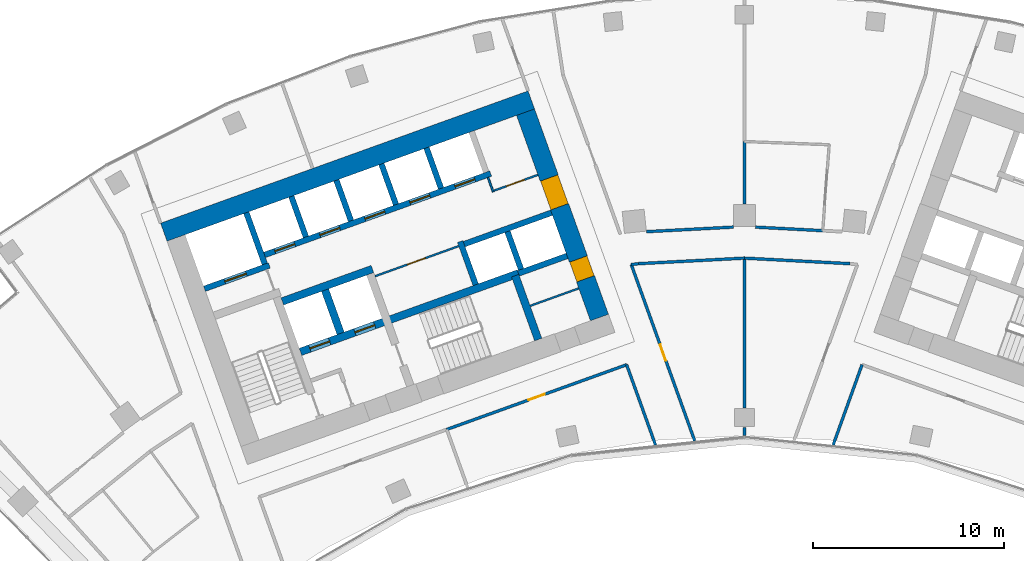
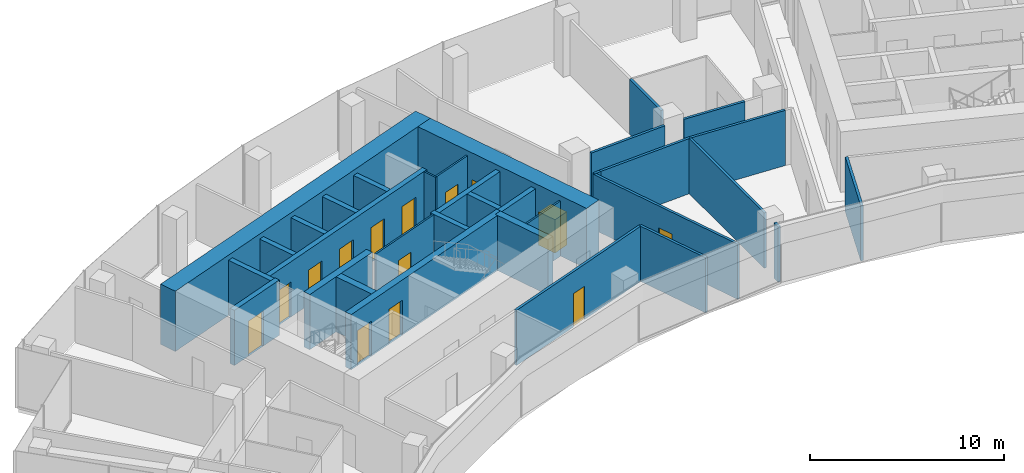
# One storey, part 13 of 18: 33 walls, 14 doors, 14 openings.
"""IFC4 building model written with IfcOpenShell, lengths in metres."""

from ifc_helpers import new_model, si_unit, direction, frame, frame_2d, origin, place, context, subcontext, project, spatial, rectangle, extrude, material, layer, layer_set, type_object, element, fill, save


model = new_model("IFC4")

# Units and contexts
model_context = context("Model", 3, precision=1e-05, world=origin(), true_north=direction((0.0, 1.0)))
body_context = subcontext(model_context, "Body", "Model", "MODEL_VIEW")
ifc_project = project(units=[si_unit("LENGTHUNIT", "METRE"), si_unit("AREAUNIT", "SQUARE_METRE"), si_unit("VOLUMEUNIT", "CUBIC_METRE"), si_unit("PLANEANGLEUNIT", "RADIAN"), si_unit("MASSUNIT", "GRAM", prefix="KILO")], contexts=[model_context])

# Site, building, storey
site_placement = place(None, origin())
site = spatial("IfcSite", under=ifc_project, at=site_placement, CompositionType="ELEMENT")
building_placement = place(site_placement, origin())
building = spatial("IfcBuilding", under=site, at=building_placement, Name="Stone Belt Terrace Tower", CompositionType="ELEMENT")
storey_placement = place(building_placement, frame((0.0, 0.0, 220.0)))
storey = spatial("IfcBuildingStorey", under=building, at=storey_placement, Name="L53", CompositionType="ELEMENT", Elevation=220.0)

# Wall, opening, door
ifc_material_1 = material(Name="Plasterboard partition")
ifc_layer_1 = layer(ifc_material_1, 0.10009765625)
ifc_layer_set_1 = layer_set([ifc_layer_1], Name="Core partition 100")
wall_type_1 = type_object("IfcWallType", Name="Core partition 100", PredefinedType="PARTITIONING", material=ifc_layer_set_1)
wall_1_placement = place(storey_placement, frame((-19.29052734375, 51.829833984375, 0.0), z_axis=(0.0, 0.0, 1.0), x_axis=(0.940930240745, 0.338600475563, 0.0)))
wall_1 = element("IfcWall", 1, at=wall_1_placement, inside=storey, type_object=wall_type_1, Name="Core A wall", PredefinedType="PARTITIONING", context=body_context, shape_type="SweptSolid", body=[
    extrude(rectangle(XDim=4.64990234375, YDim=0.10009765625, at=frame_2d((2.324951171875, 0.0))), origin(), (0.0, 0.0, 1.0), 3.47998046875),
])
opening_1_placement = place(wall_1_placement, frame((1.800048828125, 0.0, 0.0)))
opening_1 = element("IfcOpeningElement", 2, at=opening_1_placement, cuts=wall_1, Name="Opening L53-C02", PredefinedType="OPENING", context=body_context, shape_type="SweptSolid", body=[
    extrude(rectangle(XDim=1.0, YDim=2.10009765625, at=frame_2d((0.5, 1.050048828125))), frame((0.0, 0.06005859375, 0.0), z_axis=(0.0, -1.0, 0.0), x_axis=(1.0, 0.0, 0.0)), (0.0, 0.0, 1.0), 0.1201171875),
])
ifc_material_2 = material(Name="Timber door leaf", Category="wood")
door_type_1 = type_object("IfcDoorType", Name="Core room door 1000", OperationType="SINGLE_SWING_LEFT", PredefinedType="DOOR", material=ifc_material_2)
door_1_placement = place(opening_1_placement, origin())
door_1 = element("IfcDoor", 3, at=door_1_placement, inside=storey, type_object=door_type_1, Name="Door to Communications hub room core A", OperationType="SINGLE_SWING_LEFT", OverallHeight=2.10009765625, OverallWidth=1.0, PredefinedType="DOOR", context=body_context, shape_type="SweptSolid", body=[
    extrude(rectangle(XDim=1.0, YDim=2.10009765625, at=frame_2d((0.5, 1.050048828125))), frame((0.0, 0.02490234375, 0.0), z_axis=(0.0, -1.0, 0.0), x_axis=(1.0, 0.0, 0.0)), (0.0, 0.0, 1.0), 0.050048828125),
])
fill(opening_1, door_1)

# Walls
wall_2_placement = place(storey_placement, frame((-11.187744140625, 50.2822265625, 0.0), z_axis=(0.0, 0.0, 1.0), x_axis=(0.940949642365, 0.338546555931, 0.0)))
element("IfcWall", 4, at=wall_2_placement, inside=storey, type_object=wall_type_1, Name="Core A wall", PredefinedType="PARTITIONING", context=body_context, shape_type="SweptSolid", body=[
    extrude(rectangle(XDim=2.699951171875, YDim=0.10009765625, at=frame_2d((1.35009765625, 0.0))), origin(), (0.0, 0.0, 1.0), 3.47998046875),
])
wall_3_placement = place(storey_placement, frame((-13.115966796875, 56.230712890625, 0.0), z_axis=(0.0, 0.0, 1.0), x_axis=(-0.338481684961, 0.940972979923, 0.0)))
element("IfcWall", 5, at=wall_3_placement, inside=storey, type_object=wall_type_1, Name="Core A wall", PredefinedType="PARTITIONING", context=body_context, shape_type="SweptSolid", body=[
    extrude(rectangle(XDim=0.7998046875, YDim=0.10009765625, at=frame_2d((0.39990234375, 0.0))), origin(), (0.0, 0.0, 1.0), 3.47998046875),
])

# Wall, opening, door
wall_4_placement = place(storey_placement, frame((-13.085693359375, 56.294677734375, 0.0), z_axis=(0.0, 0.0, 1.0), x_axis=(0.940922976849, 0.338620660383, 0.0)))
wall_4 = element("IfcWall", 6, at=wall_4_placement, inside=storey, type_object=wall_type_1, Name="Core A wall", PredefinedType="PARTITIONING", context=body_context, shape_type="SweptSolid", body=[
    extrude(rectangle(XDim=2.449951171875, YDim=0.10009765625, at=frame_2d((1.22509765625, 0.0))), origin(), (0.0, 0.0, 1.0), 3.47998046875),
])
opening_2_placement = place(wall_4_placement, frame((0.699951171875, 0.0, 0.0)))
opening_2 = element("IfcOpeningElement", 7, at=opening_2_placement, cuts=wall_4, Name="Opening L53-C01", PredefinedType="OPENING", context=body_context, shape_type="SweptSolid", body=[
    extrude(rectangle(XDim=1.0, YDim=2.10009765625, at=frame_2d((0.5, 1.050048828125))), frame((0.0, 0.06005859375, 0.0), z_axis=(0.0, -1.0, 0.0), x_axis=(1.0, 0.0, 0.0)), (0.0, 0.0, 1.0), 0.1201171875),
])
door_2_placement = place(opening_2_placement, origin())
door_2 = element("IfcDoor", 8, at=door_2_placement, inside=storey, type_object=door_type_1, Name="Door to Tenant storage room core A", OperationType="SINGLE_SWING_LEFT", OverallHeight=2.10009765625, OverallWidth=1.0, PredefinedType="DOOR", context=body_context, shape_type="SweptSolid", body=[
    extrude(rectangle(XDim=1.0, YDim=2.10009765625, at=frame_2d((0.5, 1.050048828125))), frame((0.0, 0.02490234375, 0.0), z_axis=(0.0, -1.0, 0.0), x_axis=(1.0, 0.0, 0.0)), (0.0, 0.0, 1.0), 0.050048828125),
])
fill(opening_2, door_2)

# Wall
ifc_material_3 = material(Name="Concrete B60", Category="concrete")
ifc_layer_2 = layer(ifc_material_3, 1.0)
ifc_layer_set_2 = layer_set([ifc_layer_2], Name="Core wall 1000 B60")
wall_type_2 = type_object("IfcWallType", Name="Core wall 1000 B60", PredefinedType="SHEAR", material=ifc_layer_set_2)
wall_5_placement = place(storey_placement, frame((-30.3212890625, 54.13037109375, 0.0), z_axis=(0.0, 0.0, 1.0), x_axis=(0.940921428504, 0.338624962727, 0.0)))
element("IfcWall", 9, at=wall_5_placement, inside=storey, type_object=wall_type_2, Name="Core A wall convex L53", PredefinedType="SHEAR", context=body_context, shape_type="SweptSolid", body=[
    extrude(rectangle(XDim=20.400146484375, YDim=1.0, at=frame_2d((10.2001953125, 0.0))), origin(), (0.0, 0.0, 1.0), 3.800048828125),
])

# Wall, openings, doors
wall_6_placement = place(storey_placement, frame((-7.567138671875, 49.672119140625, 0.0), z_axis=(0.0, 0.0, 1.0), x_axis=(-0.338625431531, 0.940921259788, 0.0)))
wall_6 = element("IfcWall", 10, at=wall_6_placement, inside=storey, type_object=wall_type_2, Name="Core A wall end_b L53", PredefinedType="SHEAR", context=body_context, shape_type="SweptSolid", body=[
    extrude(rectangle(XDim=11.400146484375, YDim=1.0, at=frame_2d((5.7001953125, 0.0))), origin(), (0.0, 0.0, 1.0), 3.800048828125),
])
opening_3_placement = place(wall_6_placement, frame((6.14990234375, 0.0, 0.0)))
opening_3 = element("IfcOpeningElement", 11, at=opening_3_placement, cuts=wall_6, Name="Opening L53-C04", PredefinedType="OPENING", context=body_context, shape_type="SweptSolid", body=[
    extrude(rectangle(XDim=1.60009765625, YDim=2.10009765625, at=frame_2d((0.800048828125, 1.050048828125))), frame((0.0, 0.510009765625, 0.0), z_axis=(0.0, -1.0, 0.0), x_axis=(1.0, 0.0, 0.0)), (0.0, 0.0, 1.0), 1.02001953125),
])
opening_4_placement = place(wall_6_placement, frame((2.14990234375, 0.0, 0.0)))
opening_4 = element("IfcOpeningElement", 12, at=opening_4_placement, cuts=wall_6, Name="Opening L53-C10", PredefinedType="OPENING", context=body_context, shape_type="SweptSolid", body=[
    extrude(rectangle(XDim=1.10009765625, YDim=2.10009765625, at=frame_2d((0.550048828125, 1.050048828125))), frame((0.0, 0.510009765625, 0.0), z_axis=(0.0, -1.0, 0.0), x_axis=(1.0, 0.0, 0.0)), (0.0, 0.0, 1.0), 1.02001953125),
])
door_type_2 = type_object("IfcDoorType", Name="Core room door 1100", OperationType="SINGLE_SWING_LEFT", PredefinedType="DOOR", material=ifc_material_2)
door_3_placement = place(opening_4_placement, origin())
door_3 = element("IfcDoor", 13, at=door_3_placement, inside=storey, type_object=door_type_2, Name="Door to Accessible WC core A", OperationType="SINGLE_SWING_RIGHT", OverallHeight=2.10009765625, OverallWidth=1.10009765625, PredefinedType="DOOR", context=body_context, shape_type="SweptSolid", body=[
    extrude(rectangle(XDim=1.10009765625, YDim=2.10009765625, at=frame_2d((0.550048828125, 1.050048828125))), frame((0.0, 0.47998046875, 0.0), z_axis=(0.0, -1.0, 0.0), x_axis=(1.0, 0.0, 0.0)), (0.0, 0.0, 1.0), 0.9599609375),
])
fill(opening_4, door_3)
ifc_material_4 = material(Name="Glazed aluminium door leaf", Category="aluminium")
door_type_3 = type_object("IfcDoorType", Name="Lift lobby entrance door 1600", OperationType="DOUBLE_DOOR_SINGLE_SWING", PredefinedType="DOOR", material=ifc_material_4)
door_4_placement = place(opening_3_placement, origin())
door_4 = element("IfcDoor", 14, at=door_4_placement, inside=storey, type_object=door_type_3, Name="Lift lobby entrance door core A", OperationType="DOUBLE_DOOR_SINGLE_SWING", OverallHeight=2.10009765625, OverallWidth=1.60009765625, PredefinedType="DOOR", context=body_context, shape_type="SweptSolid", body=[
    extrude(rectangle(XDim=1.60009765625, YDim=2.10009765625, at=frame_2d((0.800048828125, 1.050048828125))), frame((0.0, 0.47998046875, 0.0), z_axis=(0.0, -1.0, 0.0), x_axis=(1.0, 0.0, 0.0)), (0.0, 0.0, 1.0), 0.9599609375),
])
fill(opening_3, door_4)

# Walls
ifc_material_5 = material(Name="Concrete B80", Category="concrete")
ifc_layer_3 = layer(ifc_material_5, 0.39990234375)
ifc_layer_set_3 = layer_set([ifc_layer_3], Name="Fire-fighting lift shaft wall 400")
wall_type_3 = type_object("IfcWallType", Name="Fire-fighting lift shaft wall 400", PredefinedType="SHEAR", material=ifc_layer_set_3)
wall_7_placement = place(storey_placement, frame((-24.130615234375, 50.512939453125, 0.0), z_axis=(0.0, 0.0, 1.0), x_axis=(0.94091168377, 0.338652038744, 0.0)))
element("IfcWall", 15, at=wall_7_placement, inside=storey, type_object=wall_type_3, Name="Core A wall", PredefinedType="SHEAR", context=body_context, shape_type="SweptSolid", body=[
    extrude(rectangle(XDim=5.000244140625, YDim=0.39990234375, at=frame_2d((2.5, 0.0))), origin(), (0.0, 0.0, 1.0), 3.47998046875),
])
wall_8_placement = place(storey_placement, frame((-21.0859375, 48.845458984375, 0.0), z_axis=(0.0, 0.0, 1.0), x_axis=(-0.338629416206, 0.940919825745, 0.0)))
element("IfcWall", 16, at=wall_8_placement, inside=storey, type_object=wall_type_3, Name="Core A wall", PredefinedType="SHEAR", context=body_context, shape_type="SweptSolid", body=[
    extrude(rectangle(XDim=2.400146484375, YDim=0.39990234375, at=frame_2d((1.2001953125, 0.0))), origin(), (0.0, 0.0, 1.0), 3.47998046875),
])

# Wall, opening, door
ifc_layer_4 = layer(ifc_material_5, 0.300048828125)
ifc_layer_set_4 = layer_set([ifc_layer_4], Name="Lift shaft wall 300")
wall_type_4 = type_object("IfcWallType", Name="Lift shaft wall 300", PredefinedType="SHEAR", material=ifc_layer_set_4)
wall_9_placement = place(storey_placement, frame((-28.195068359375, 51.17578125, 0.0), z_axis=(0.0, 0.0, 1.0), x_axis=(0.940901243567, 0.338681044427, 0.0)))
wall_9 = element("IfcWall", 17, at=wall_9_placement, inside=storey, type_object=wall_type_4, Name="Core A wall", PredefinedType="SHEAR", context=body_context, shape_type="SweptSolid", body=[
    extrude(rectangle(XDim=3.599853515625, YDim=0.300048828125, at=frame_2d((1.7998046875, 0.0))), origin(), (0.0, 0.0, 1.0), 3.47998046875),
])
opening_5_placement = place(wall_9_placement, frame((1.1201171875, 0.0, 0.0)))
opening_5 = element("IfcOpeningElement", 18, at=opening_5_placement, cuts=wall_9, Name="Opening L53-LD08", PredefinedType="OPENING", context=body_context, shape_type="SweptSolid", body=[
    extrude(rectangle(XDim=1.199951171875, YDim=2.199951171875, at=frame_2d((0.60009765625, 1.10009765625))), frame((0.0, 0.159912109375, 0.0), z_axis=(0.0, -1.0, 0.0), x_axis=(1.0, 0.0, 0.0)), (0.0, 0.0, 1.0), 0.320068359375),
])
ifc_material_6 = material(Name="Stainless steel door leaf", Category="steel")
door_type_4 = type_object("IfcDoorType", Name="Landing door 1200", OperationType="SLIDING_TO_LEFT", PredefinedType="DOOR", material=ifc_material_6)
door_5_placement = place(opening_5_placement, origin())
door_5 = element("IfcDoor", 19, at=door_5_placement, inside=storey, type_object=door_type_4, Name="Landing door SV1 core A", OperationType="SLIDING_TO_LEFT", OverallHeight=2.199951171875, OverallWidth=1.199951171875, PredefinedType="DOOR", context=body_context, shape_type="SweptSolid", body=[
    extrude(rectangle(XDim=1.199951171875, YDim=2.199951171875, at=frame_2d((0.60009765625, 1.10009765625))), frame((0.0, 0.02490234375, 0.0), z_axis=(0.0, -1.0, 0.0), x_axis=(1.0, 0.0, 0.0)), (0.0, 0.0, 1.0), 0.050048828125),
])
fill(opening_5, door_5)

# Wall
wall_10_placement = place(storey_placement, frame((-25.046875, 52.46826171875, 0.0), z_axis=(0.0, 0.0, 1.0), x_axis=(-0.338549588058, 0.940948551423, 0.0)))
element("IfcWall", 20, at=wall_10_placement, inside=storey, type_object=wall_type_4, Name="Core A wall", PredefinedType="SHEAR", context=body_context, shape_type="SweptSolid", body=[
    extrude(rectangle(XDim=2.849853515625, YDim=0.300048828125, at=frame_2d((1.4248046875, 0.0))), origin(), (0.0, 0.0, 1.0), 3.47998046875),
])

# Wall, openings, doors
wall_11_placement = place(storey_placement, frame((-25.05810546875, 52.9423828125, 0.0), z_axis=(0.0, 0.0, 1.0), x_axis=(0.940921381676, 0.338625092847, 0.0)))
wall_11 = element("IfcWall", 21, at=wall_11_placement, inside=storey, type_object=wall_type_4, Name="Core A wall", PredefinedType="SHEAR", context=body_context, shape_type="SweptSolid", body=[
    extrude(rectangle(XDim=12.550048828125, YDim=0.300048828125, at=frame_2d((6.27490234375, 0.0))), origin(), (0.0, 0.0, 1.0), 3.47998046875),
])
opening_6_placement = place(wall_11_placement, frame((0.570068359375, 0.0, 0.0)))
opening_6 = element("IfcOpeningElement", 22, at=opening_6_placement, cuts=wall_11, Name="Opening L53-LD01", PredefinedType="OPENING", context=body_context, shape_type="SweptSolid", body=[
    extrude(rectangle(XDim=1.10009765625, YDim=2.199951171875, at=frame_2d((0.550048828125, 1.10009765625))), frame((0.0, 0.159912109375, 0.0), z_axis=(0.0, -1.0, 0.0), x_axis=(1.0, 0.0, 0.0)), (0.0, 0.0, 1.0), 0.320068359375),
])
opening_7_placement = place(wall_11_placement, frame((3.070068359375, 0.0, 0.0)))
opening_7 = element("IfcOpeningElement", 23, at=opening_7_placement, cuts=wall_11, Name="Opening L53-LD02", PredefinedType="OPENING", context=body_context, shape_type="SweptSolid", body=[
    extrude(rectangle(XDim=1.10009765625, YDim=2.199951171875, at=frame_2d((0.550048828125, 1.10009765625))), frame((0.0, 0.159912109375, 0.0), z_axis=(0.0, -1.0, 0.0), x_axis=(1.0, 0.0, 0.0)), (0.0, 0.0, 1.0), 0.320068359375),
])
opening_8_placement = place(wall_11_placement, frame((5.570068359375, 0.0, 0.0)))
opening_8 = element("IfcOpeningElement", 24, at=opening_8_placement, cuts=wall_11, Name="Opening L53-LD03", PredefinedType="OPENING", context=body_context, shape_type="SweptSolid", body=[
    extrude(rectangle(XDim=1.10009765625, YDim=2.199951171875, at=frame_2d((0.550048828125, 1.10009765625))), frame((0.0, 0.159912109375, 0.0), z_axis=(0.0, -1.0, 0.0), x_axis=(1.0, 0.0, 0.0)), (0.0, 0.0, 1.0), 0.320068359375),
])
opening_9_placement = place(wall_11_placement, frame((8.070068359375, 0.0, 0.0)))
opening_9 = element("IfcOpeningElement", 25, at=opening_9_placement, cuts=wall_11, Name="Opening L53-LD04", PredefinedType="OPENING", context=body_context, shape_type="SweptSolid", body=[
    extrude(rectangle(XDim=1.10009765625, YDim=2.199951171875, at=frame_2d((0.550048828125, 1.10009765625))), frame((0.0, 0.159912109375, 0.0), z_axis=(0.0, -1.0, 0.0), x_axis=(1.0, 0.0, 0.0)), (0.0, 0.0, 1.0), 0.320068359375),
])
opening_10_placement = place(wall_11_placement, frame((10.570068359375, 0.0, 0.0)))
opening_10 = element("IfcOpeningElement", 26, at=opening_10_placement, cuts=wall_11, Name="Opening L53-LD05", PredefinedType="OPENING", context=body_context, shape_type="SweptSolid", body=[
    extrude(rectangle(XDim=1.10009765625, YDim=2.199951171875, at=frame_2d((0.550048828125, 1.10009765625))), frame((0.0, 0.159912109375, 0.0), z_axis=(0.0, -1.0, 0.0), x_axis=(1.0, 0.0, 0.0)), (0.0, 0.0, 1.0), 0.320068359375),
])
door_type_5 = type_object("IfcDoorType", Name="Landing door 1100", OperationType="SLIDING_TO_LEFT", PredefinedType="DOOR", material=ifc_material_6)
door_6_placement = place(opening_6_placement, origin())
door_6 = element("IfcDoor", 27, at=door_6_placement, inside=storey, type_object=door_type_5, Name="Landing door MR1 core A", OperationType="SLIDING_TO_LEFT", OverallHeight=2.199951171875, OverallWidth=1.10009765625, PredefinedType="DOOR", context=body_context, shape_type="SweptSolid", body=[
    extrude(rectangle(XDim=1.10009765625, YDim=2.199951171875, at=frame_2d((0.550048828125, 1.10009765625))), frame((0.0, 0.02490234375, 0.0), z_axis=(0.0, -1.0, 0.0), x_axis=(1.0, 0.0, 0.0)), (0.0, 0.0, 1.0), 0.050048828125),
])
fill(opening_6, door_6)
door_7_placement = place(opening_7_placement, origin())
door_7 = element("IfcDoor", 28, at=door_7_placement, inside=storey, type_object=door_type_5, Name="Landing door MR2 core A", OperationType="SLIDING_TO_LEFT", OverallHeight=2.199951171875, OverallWidth=1.10009765625, PredefinedType="DOOR", context=body_context, shape_type="SweptSolid", body=[
    extrude(rectangle(XDim=1.10009765625, YDim=2.199951171875, at=frame_2d((0.550048828125, 1.10009765625))), frame((0.0, 0.02490234375, 0.0), z_axis=(0.0, -1.0, 0.0), x_axis=(1.0, 0.0, 0.0)), (0.0, 0.0, 1.0), 0.050048828125),
])
fill(opening_7, door_7)
door_8_placement = place(opening_8_placement, origin())
door_8 = element("IfcDoor", 29, at=door_8_placement, inside=storey, type_object=door_type_5, Name="Landing door MR3 core A", OperationType="SLIDING_TO_LEFT", OverallHeight=2.199951171875, OverallWidth=1.10009765625, PredefinedType="DOOR", context=body_context, shape_type="SweptSolid", body=[
    extrude(rectangle(XDim=1.10009765625, YDim=2.199951171875, at=frame_2d((0.550048828125, 1.10009765625))), frame((0.0, 0.02490234375, 0.0), z_axis=(0.0, -1.0, 0.0), x_axis=(1.0, 0.0, 0.0)), (0.0, 0.0, 1.0), 0.050048828125),
])
fill(opening_8, door_8)
door_9_placement = place(opening_9_placement, origin())
door_9 = element("IfcDoor", 30, at=door_9_placement, inside=storey, type_object=door_type_5, Name="Landing door MR4 core A", OperationType="SLIDING_TO_LEFT", OverallHeight=2.199951171875, OverallWidth=1.10009765625, PredefinedType="DOOR", context=body_context, shape_type="SweptSolid", body=[
    extrude(rectangle(XDim=1.10009765625, YDim=2.199951171875, at=frame_2d((0.550048828125, 1.10009765625))), frame((0.0, 0.02490234375, 0.0), z_axis=(0.0, -1.0, 0.0), x_axis=(1.0, 0.0, 0.0)), (0.0, 0.0, 1.0), 0.050048828125),
])
fill(opening_9, door_9)
door_10_placement = place(opening_10_placement, origin())
door_10 = element("IfcDoor", 31, at=door_10_placement, inside=storey, type_object=door_type_5, Name="Landing door MR5 core A", OperationType="SLIDING_TO_LEFT", OverallHeight=2.199951171875, OverallWidth=1.10009765625, PredefinedType="DOOR", context=body_context, shape_type="SweptSolid", body=[
    extrude(rectangle(XDim=1.10009765625, YDim=2.199951171875, at=frame_2d((0.550048828125, 1.10009765625))), frame((0.0, 0.02490234375, 0.0), z_axis=(0.0, -1.0, 0.0), x_axis=(1.0, 0.0, 0.0)), (0.0, 0.0, 1.0), 0.050048828125),
])
fill(opening_10, door_10)

# Walls
wall_12_placement = place(storey_placement, frame((-22.897705078125, 53.87939453125, 0.0), z_axis=(0.0, 0.0, 1.0), x_axis=(-0.338535034312, 0.940953787677, 0.0)))
element("IfcWall", 32, at=wall_12_placement, inside=storey, type_object=wall_type_4, Name="Core A wall", PredefinedType="SHEAR", context=body_context, shape_type="SweptSolid", body=[
    extrude(rectangle(XDim=2.25, YDim=0.300048828125, at=frame_2d((1.125, 0.0))), origin(), (0.0, 0.0, 1.0), 3.47998046875),
])
wall_13_placement = place(storey_placement, frame((-20.54541015625, 54.72607421875, 0.0), z_axis=(0.0, 0.0, 1.0), x_axis=(-0.338569601369, 0.940941350472, 0.0)))
element("IfcWall", 33, at=wall_13_placement, inside=storey, type_object=wall_type_4, Name="Core A wall", PredefinedType="SHEAR", context=body_context, shape_type="SweptSolid", body=[
    extrude(rectangle(XDim=2.249755859375, YDim=0.300048828125, at=frame_2d((1.125, 0.0))), origin(), (0.0, 0.0, 1.0), 3.47998046875),
])
wall_14_placement = place(storey_placement, frame((-18.193115234375, 55.572509765625, 0.0), z_axis=(0.0, 0.0, 1.0), x_axis=(-0.338535034312, 0.940953787677, 0.0)))
element("IfcWall", 34, at=wall_14_placement, inside=storey, type_object=wall_type_4, Name="Core A wall", PredefinedType="SHEAR", context=body_context, shape_type="SweptSolid", body=[
    extrude(rectangle(XDim=2.25, YDim=0.300048828125, at=frame_2d((1.125, 0.0))), origin(), (0.0, 0.0, 1.0), 3.47998046875),
])
wall_15_placement = place(storey_placement, frame((-14.029052734375, 51.38525390625, 0.0), z_axis=(0.0, 0.0, 1.0), x_axis=(-0.338661829791, 0.940908159728, 0.0)))
element("IfcWall", 35, at=wall_15_placement, inside=storey, type_object=wall_type_4, Name="Core A wall", PredefinedType="SHEAR", context=body_context, shape_type="SweptSolid", body=[
    extrude(rectangle(XDim=2.39990234375, YDim=0.300048828125, at=frame_2d((1.199951171875, 0.0))), origin(), (0.0, 0.0, 1.0), 3.47998046875),
])
wall_16_placement = place(storey_placement, frame((-14.6328125, 53.506103515625, 0.0), z_axis=(0.0, 0.0, 1.0), x_axis=(0.940931684323, 0.338596464007, 0.0)))
element("IfcWall", 36, at=wall_16_placement, inside=storey, type_object=wall_type_4, Name="Core A wall", PredefinedType="SHEAR", context=body_context, shape_type="SweptSolid", body=[
    extrude(rectangle(XDim=4.849609375, YDim=0.300048828125, at=frame_2d((2.4248046875, 0.0))), origin(), (0.0, 0.0, 1.0), 3.47998046875),
])
wall_17_placement = place(storey_placement, frame((-15.8408203125, 56.419189453125, 0.0), z_axis=(0.0, 0.0, 1.0), x_axis=(-0.338569601369, 0.940941350472, 0.0)))
element("IfcWall", 37, at=wall_17_placement, inside=storey, type_object=wall_type_4, Name="Core A wall", PredefinedType="SHEAR", context=body_context, shape_type="SweptSolid", body=[
    extrude(rectangle(XDim=2.249755859375, YDim=0.300048828125, at=frame_2d((1.125, 0.0))), origin(), (0.0, 0.0, 1.0), 3.47998046875),
])
wall_18_placement = place(storey_placement, frame((-11.797119140625, 51.975830078125, 0.0), z_axis=(0.0, 0.0, 1.0), x_axis=(0.940910465161, 0.33865542451, 0.0)))
element("IfcWall", 38, at=wall_18_placement, inside=storey, type_object=wall_type_4, Name="Core A wall", PredefinedType="SHEAR", context=body_context, shape_type="SweptSolid", body=[
    extrude(rectangle(XDim=2.69970703125, YDim=0.300048828125, at=frame_2d((1.349853515625, 0.0))), origin(), (0.0, 0.0, 1.0), 3.47998046875),
])
wall_19_placement = place(storey_placement, frame((-11.659912109375, 52.184814453125, 0.0), z_axis=(0.0, 0.0, 1.0), x_axis=(-0.338670064856, 0.940905195634, 0.0)))
element("IfcWall", 39, at=wall_19_placement, inside=storey, type_object=wall_type_4, Name="Core A wall", PredefinedType="SHEAR", context=body_context, shape_type="SweptSolid", body=[
    extrude(rectangle(XDim=2.099853515625, YDim=0.300048828125, at=frame_2d((1.0498046875, 0.0))), origin(), (0.0, 0.0, 1.0), 3.47998046875),
])
ifc_material_7 = material(Name="Gypsum board partition")
ifc_layer_5 = layer(ifc_material_7, 0.14990234375)
ifc_layer_set_5 = layer_set([ifc_layer_5], Name="PARTITION 150 EI 60")
wall_type_5 = type_object("IfcWallType", Name="PARTITION 150 EI 60", PredefinedType="PARTITIONING", material=ifc_layer_set_5)
wall_20_placement = place(storey_placement, frame((-4.638427734375, 43.012451171875, 0.0), z_axis=(0.0, 0.0, 1.0), x_axis=(-0.338583902482, 0.940936204522, 0.0)))
element("IfcWall", 40, at=wall_20_placement, inside=storey, type_object=wall_type_5, Name="L53/wall/i007", PredefinedType="PARTITIONING", context=body_context, shape_type="SweptSolid", body=[
    extrude(rectangle(XDim=4.464111328125, YDim=0.14990234375, at=frame_2d((2.23193359375, 0.0))), origin(), (0.0, 0.0, 1.0), 3.47998046875),
])

# Wall, opening, door
wall_21_placement = place(storey_placement, frame((-5.906005859375, 52.44091796875, 0.0), z_axis=(0.0, 0.0, 1.0), x_axis=(0.33864618549, -0.940913790447, 0.0)))
wall_21 = element("IfcWall", 41, at=wall_21_placement, inside=storey, type_object=wall_type_5, Name="L53/wall/i009", PredefinedType="PARTITIONING", context=body_context, shape_type="SweptSolid", body=[
    extrude(rectangle(XDim=9.791748046875, YDim=0.14990234375, at=frame_2d((4.89599609375, 0.0))), origin(), (0.0, 0.0, 1.0), 3.47998046875),
])
opening_11_placement = place(wall_21_placement, frame((4.44580078125, 0.0, 0.0)))
opening_11 = element("IfcOpeningElement", 42, at=opening_11_placement, cuts=wall_21, Name="Opening D-D3-23", PredefinedType="OPENING", context=body_context, shape_type="SweptSolid", body=[
    extrude(rectangle(XDim=0.89990234375, YDim=2.10009765625, at=frame_2d((0.449951171875, 1.050048828125))), frame((0.0, 0.0849609375, 0.0), z_axis=(0.0, -1.0, 0.0), x_axis=(1.0, 0.0, 0.0)), (0.0, 0.0, 1.0), 0.169921875),
])
door_type_6 = type_object("IfcDoorType", Name="OFFICE DOOR 900 X 2100", OperationType="NOTDEFINED", PredefinedType="DOOR", material=ifc_material_2)
door_11_placement = place(opening_11_placement, origin())
door_11 = element("IfcDoor", 43, at=door_11_placement, inside=storey, type_object=door_type_6, Name="L53/door/i23", OperationType="SINGLE_SWING_RIGHT", OverallHeight=2.10009765625, OverallWidth=0.89990234375, PredefinedType="DOOR", context=body_context, shape_type="SweptSolid", body=[
    extrude(rectangle(XDim=0.89990234375, YDim=2.10009765625, at=frame_2d((0.449951171875, 1.050048828125))), frame((0.0, 0.02490234375, 0.0), z_axis=(0.0, -1.0, 0.0), x_axis=(1.0, 0.0, 0.0)), (0.0, 0.0, 1.0), 0.050048828125),
])
fill(opening_11, door_11)

wall_22_placement = place(storey_placement, frame((-6.14892578125, 47.20703125, 0.0), z_axis=(0.0, 0.0, 1.0), x_axis=(-0.940919183473, -0.338631200826, 0.0)))
wall_22 = element("IfcWall", 44, at=wall_22_placement, inside=storey, type_object=wall_type_5, Name="L53/wall/i013", PredefinedType="PARTITIONING", context=body_context, shape_type="SweptSolid", body=[
    extrude(rectangle(XDim=9.990478515625, YDim=0.14990234375, at=frame_2d((4.9951171875, 0.0))), origin(), (0.0, 0.0, 1.0), 3.47998046875),
])
opening_12_placement = place(wall_22_placement, frame((4.545166015625, 0.0, 0.0)))
opening_12 = element("IfcOpeningElement", 45, at=opening_12_placement, cuts=wall_22, Name="Opening D-D3-02", PredefinedType="OPENING", context=body_context, shape_type="SweptSolid", body=[
    extrude(rectangle(XDim=0.89990234375, YDim=2.10009765625, at=frame_2d((0.449951171875, 1.050048828125))), frame((0.0, 0.0849609375, 0.0), z_axis=(0.0, -1.0, 0.0), x_axis=(1.0, 0.0, 0.0)), (0.0, 0.0, 1.0), 0.169921875),
])
door_12_placement = place(opening_12_placement, origin())
door_12 = element("IfcDoor", 46, at=door_12_placement, inside=storey, type_object=door_type_6, Name="L53/door/i02", OperationType="SINGLE_SWING_RIGHT", OverallHeight=2.10009765625, OverallWidth=0.89990234375, PredefinedType="DOOR", context=body_context, shape_type="SweptSolid", body=[
    extrude(rectangle(XDim=0.89990234375, YDim=2.10009765625, at=frame_2d((0.449951171875, 1.050048828125))), frame((0.0, 0.02490234375, 0.0), z_axis=(0.0, -1.0, 0.0), x_axis=(1.0, 0.0, 0.0)), (0.0, 0.0, 1.0), 0.050048828125),
])
fill(opening_12, door_12)

# Walls
wall_23_placement = place(storey_placement, frame((6.14990234375, 47.212890625, 0.0), z_axis=(0.0, 0.0, 1.0), x_axis=(-0.338583902482, -0.940936204522, 0.0)))
element("IfcWall", 47, at=wall_23_placement, inside=storey, type_object=wall_type_5, Name="L53/wall/i016", PredefinedType="PARTITIONING", context=body_context, shape_type="SweptSolid", body=[
    extrude(rectangle(XDim=4.464111328125, YDim=0.14990234375, at=frame_2d((2.23193359375, 0.0))), origin(), (0.0, 0.0, 1.0), 3.47998046875),
])
wall_24_placement = place(storey_placement, frame((0.0, 52.77490234375, 0.0), z_axis=(0.0, 0.0, 1.0), x_axis=(-0.998632077757, -0.052287410285, 0.0)))
element("IfcWall", 48, at=wall_24_placement, inside=storey, type_object=wall_type_5, Name="L53/wall/i069", PredefinedType="PARTITIONING", context=body_context, shape_type="SweptSolid", body=[
    extrude(rectangle(XDim=5.523681640625, YDim=0.14990234375, at=frame_2d((2.76171875, 0.0))), origin(), (0.0, 0.0, 1.0), 3.47998046875),
])
wall_25_placement = place(storey_placement, frame((-5.51611328125, 52.486083984375, 0.0), z_axis=(0.0, 0.0, 1.0), x_axis=(-0.991780421826, -0.127951533338, 0.0)))
element("IfcWall", 49, at=wall_25_placement, inside=storey, type_object=wall_type_5, Name="L53/wall/i070", PredefinedType="PARTITIONING", context=body_context, shape_type="SweptSolid", body=[
    extrude(rectangle(XDim=0.39111328125, YDim=0.14990234375, at=frame_2d((0.195556640625, 0.0))), origin(), (0.0, 0.0, 1.0), 3.47998046875),
])
wall_26_placement = place(storey_placement, frame((5.51611328125, 52.486083984375, 0.0), z_axis=(0.0, 0.0, 1.0), x_axis=(-0.998632077757, 0.052287410285, 0.0)))
element("IfcWall", 50, at=wall_26_placement, inside=storey, type_object=wall_type_5, Name="L53/wall/i072", PredefinedType="PARTITIONING", context=body_context, shape_type="SweptSolid", body=[
    extrude(rectangle(XDim=5.523681640625, YDim=0.14990234375, at=frame_2d((2.76171875, 0.0))), origin(), (0.0, 0.0, 1.0), 3.47998046875),
])
wall_27_placement = place(storey_placement, frame((-5.114013671875, 54.1572265625, 0.0), z_axis=(0.0, 0.0, 1.0), x_axis=(0.998631882583, 0.052291137769, 0.0)))
element("IfcWall", 51, at=wall_27_placement, inside=storey, type_object=wall_type_5, Name="L53/wall/i073", PredefinedType="PARTITIONING", context=body_context, shape_type="SweptSolid", body=[
    extrude(rectangle(XDim=4.54736328125, YDim=0.14990234375, at=frame_2d((2.273681640625, 0.0))), origin(), (0.0, 0.0, 1.0), 3.47998046875),
])
wall_28_placement = place(storey_placement, frame((0.572021484375, 54.39501953125, 0.0), z_axis=(0.0, 0.0, 1.0), x_axis=(0.998627167423, -0.052381108083, 0.0)))
element("IfcWall", 52, at=wall_28_placement, inside=storey, type_object=wall_type_5, Name="L53/wall/i075", PredefinedType="PARTITIONING", context=body_context, shape_type="SweptSolid", body=[
    extrude(rectangle(XDim=3.532958984375, YDim=0.14990234375, at=frame_2d((1.7666015625, 0.0))), origin(), (0.0, 0.0, 1.0), 3.47998046875),
])
wall_29_placement = place(storey_placement, frame((0.0, 52.77490234375, 0.0), z_axis=(0.0, 0.0, 1.0), x_axis=(0.0, -1.0, 0.0)))
element("IfcWall", 53, at=wall_29_placement, inside=storey, type_object=wall_type_5, Name="L53/wall/i076", PredefinedType="PARTITIONING", context=body_context, shape_type="SweptSolid", body=[
    extrude(rectangle(XDim=7.824951171875, YDim=0.14990234375, at=frame_2d((3.91259765625, 0.0))), origin(), (0.0, 0.0, 1.0), 3.47998046875),
])
wall_30_placement = place(storey_placement, frame((0.0, 43.93994140625, 0.0), z_axis=(0.0, 0.0, 1.0), x_axis=(0.0, -1.0, 0.0)))
element("IfcWall", 54, at=wall_30_placement, inside=storey, type_object=wall_type_5, Name="L53/wall/i077", PredefinedType="PARTITIONING", context=body_context, shape_type="SweptSolid", body=[
    extrude(rectangle(XDim=0.43994140625, YDim=0.14990234375, at=frame_2d((0.219970703125, 0.0))), origin(), (0.0, 0.0, 1.0), 3.47998046875),
])
wall_31_placement = place(storey_placement, frame((0.0, 58.87109375, 0.0), z_axis=(0.0, 0.0, 1.0), x_axis=(0.0, -1.0, 0.0)))
element("IfcWall", 55, at=wall_31_placement, inside=storey, type_object=wall_type_5, Name="L53/wall/i080", PredefinedType="PARTITIONING", context=body_context, shape_type="SweptSolid", body=[
    extrude(rectangle(XDim=3.26611328125, YDim=0.14990234375, at=frame_2d((1.633056640625, 0.0))), origin(), (0.0, 0.0, 1.0), 3.47998046875),
])

# Wall, openings, doors
ifc_layer_6 = layer(ifc_material_5, 0.39990234375)
ifc_layer_set_6 = layer_set([ifc_layer_6], Name="Stair enclosure wall 400")
wall_type_6 = type_object("IfcWallType", Name="Stair enclosure wall 400", PredefinedType="SHEAR", material=ifc_layer_set_6)
wall_32_placement = place(storey_placement, frame((-23.182373046875, 47.87841796875, 0.0), z_axis=(0.0, 0.0, 1.0), x_axis=(0.940921101762, 0.338625870628, 0.0)))
wall_32 = element("IfcWall", 56, at=wall_32_placement, inside=storey, type_object=wall_type_6, Name="Core A wall", PredefinedType="SHEAR", context=body_context, shape_type="SweptSolid", body=[
    extrude(rectangle(XDim=12.10009765625, YDim=0.39990234375, at=frame_2d((6.050048828125, 0.0))), origin(), (0.0, 0.0, 1.0), 3.47998046875),
])
opening_13_placement = place(wall_32_placement, frame((0.52001953125, 0.0, 0.0)))
opening_13 = element("IfcOpeningElement", 57, at=opening_13_placement, cuts=wall_32, Name="Opening L53-LD06", PredefinedType="OPENING", context=body_context, shape_type="SweptSolid", body=[
    extrude(rectangle(XDim=1.10009765625, YDim=2.199951171875, at=frame_2d((0.550048828125, 1.10009765625))), frame((0.0, 0.2099609375, 0.0), z_axis=(0.0, -1.0, 0.0), x_axis=(1.0, 0.0, 0.0)), (0.0, 0.0, 1.0), 0.419921875),
])
opening_14_placement = place(wall_32_placement, frame((3.02001953125, 0.0, 0.0)))
opening_14 = element("IfcOpeningElement", 58, at=opening_14_placement, cuts=wall_32, Name="Opening L53-LD07", PredefinedType="OPENING", context=body_context, shape_type="SweptSolid", body=[
    extrude(rectangle(XDim=1.10009765625, YDim=2.199951171875, at=frame_2d((0.550048828125, 1.10009765625))), frame((0.0, 0.2099609375, 0.0), z_axis=(0.0, -1.0, 0.0), x_axis=(1.0, 0.0, 0.0)), (0.0, 0.0, 1.0), 0.419921875),
])
door_13_placement = place(opening_13_placement, origin())
door_13 = element("IfcDoor", 59, at=door_13_placement, inside=storey, type_object=door_type_5, Name="Landing door FF1 core A", OperationType="SLIDING_TO_LEFT", OverallHeight=2.199951171875, OverallWidth=1.10009765625, PredefinedType="DOOR", context=body_context, shape_type="SweptSolid", body=[
    extrude(rectangle(XDim=1.10009765625, YDim=2.199951171875, at=frame_2d((0.550048828125, 1.10009765625))), frame((0.0, 0.02490234375, 0.0), z_axis=(0.0, -1.0, 0.0), x_axis=(1.0, 0.0, 0.0)), (0.0, 0.0, 1.0), 0.050048828125),
])
fill(opening_13, door_13)
door_14_placement = place(opening_14_placement, origin())
door_14 = element("IfcDoor", 60, at=door_14_placement, inside=storey, type_object=door_type_5, Name="Landing door FF2 core A", OperationType="SLIDING_TO_LEFT", OverallHeight=2.199951171875, OverallWidth=1.10009765625, PredefinedType="DOOR", context=body_context, shape_type="SweptSolid", body=[
    extrude(rectangle(XDim=1.10009765625, YDim=2.199951171875, at=frame_2d((0.550048828125, 1.10009765625))), frame((0.0, 0.02490234375, 0.0), z_axis=(0.0, -1.0, 0.0), x_axis=(1.0, 0.0, 0.0)), (0.0, 0.0, 1.0), 0.050048828125),
])
fill(opening_14, door_14)

# Wall
wall_33_placement = place(storey_placement, frame((-10.766357421875, 48.520751953125, 0.0), z_axis=(0.0, 0.0, 1.0), x_axis=(-0.338626928157, 0.94092072117, 0.0)))
element("IfcWall", 61, at=wall_33_placement, inside=storey, type_object=wall_type_6, Name="Core A wall", PredefinedType="SHEAR", context=body_context, shape_type="SweptSolid", body=[
    extrude(rectangle(XDim=3.550048828125, YDim=0.39990234375, at=frame_2d((1.77490234375, 0.0))), origin(), (0.0, 0.0, 1.0), 3.47998046875),
])

save(model, "model.ifc")
